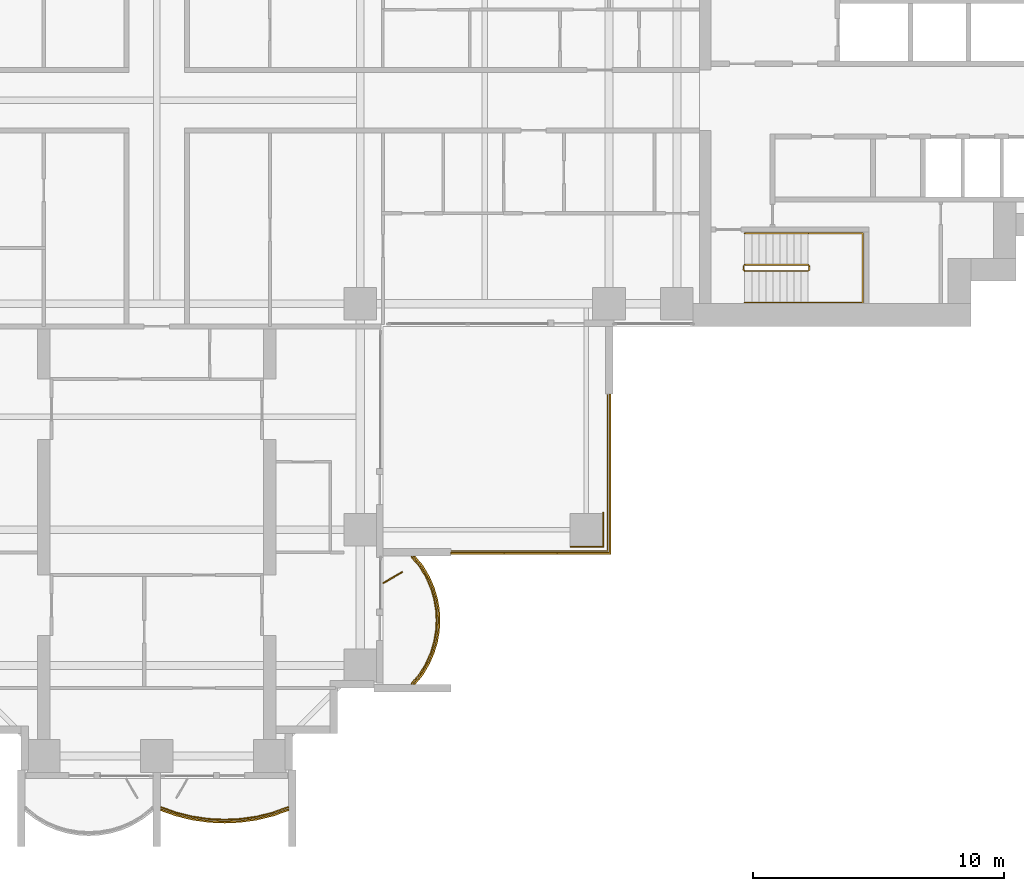
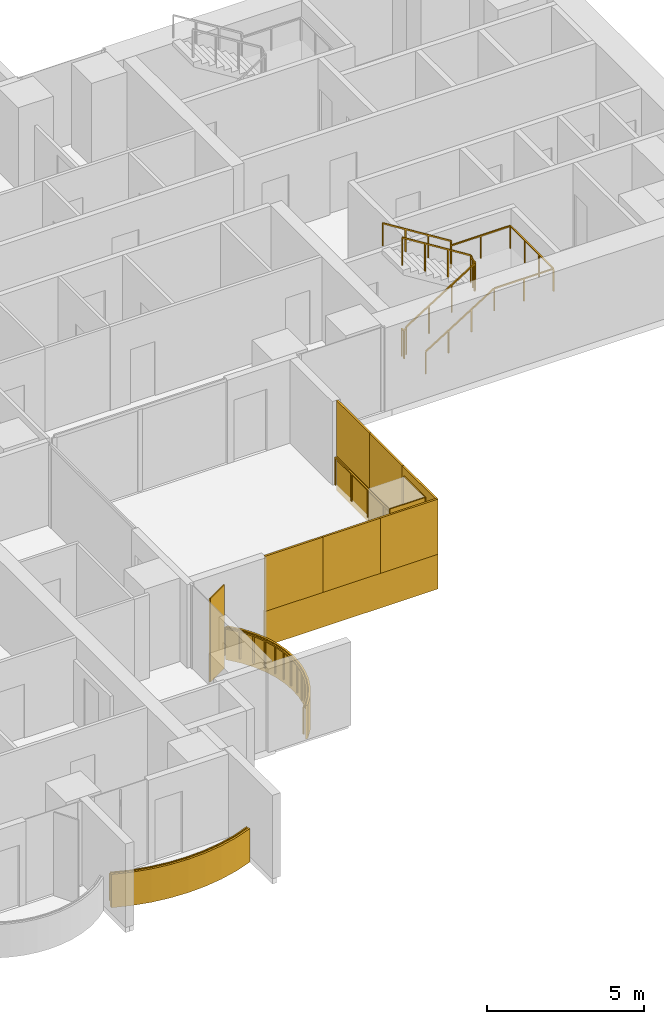
# One storey, part 18 of 20: 11 coverings, 5 railings, 1 shading device.
"""IFC4 building model written with IfcOpenShell, lengths in metres."""

from ifc_helpers import new_model, si_unit, direction, frame, origin, origin_2d, place, context, subcontext, project, spatial, polyline, rectangle, outline, extrude, material, layer, layer_set, type_object, element, save


model = new_model("IFC4")

# Units and contexts
model_context = context("Model", 3, precision=1e-05, world=origin(), true_north=direction((0.0, 1.0)))
body_context = subcontext(model_context, "Body", "Model", "MODEL_VIEW")
ifc_project = project(units=[si_unit("LENGTHUNIT", "METRE"), si_unit("AREAUNIT", "SQUARE_METRE"), si_unit("VOLUMEUNIT", "CUBIC_METRE"), si_unit("PLANEANGLEUNIT", "RADIAN"), si_unit("MASSUNIT", "GRAM", prefix="KILO")], contexts=[model_context])

# Site, building, storey
site_placement = place(None, origin())
site = spatial("IfcSite", under=ifc_project, at=site_placement, CompositionType="ELEMENT")
building_placement = place(site_placement, origin())
building = spatial("IfcBuilding", under=site, at=building_placement, Name="Perihelion Cross Residences", CompositionType="ELEMENT")
storey_placement = place(building_placement, frame((0.0, 0.0, 68.0)))
storey = spatial("IfcBuildingStorey", under=building, at=storey_placement, Name="L14", CompositionType="ELEMENT", Elevation=68.0)

# Coverings
ifc_material_1 = material(Name="Bronze anodised aluminium", Category="aluminium")
ifc_layer_1 = layer(ifc_material_1, 0.070068359375)
ifc_layer_set_1 = layer_set([ifc_layer_1], Name="Balcony fascia 1300")
covering_type_1 = type_object("IfcCoveringType", Name="Balcony fascia 1300", PredefinedType="CLADDING", material=ifc_layer_set_1)
covering_1_placement = place(storey_placement, frame((0.0, 0.0, -0.199951171875)))
element("IfcCovering", 1, at=covering_1_placement, inside=storey, type_object=covering_type_1, Name="Fascia BF1 L14 south tip south bay 2", PredefinedType="CLADDING", context=body_context, shape_type="SweptSolid", body=[
    extrude(outline(polyline([(0.767578125, -28.49072265625), (1.411865234375, -28.647216796875), (2.055908203125, -28.739501953125), (2.699951171875, -28.77001953125), (3.34423828125, -28.739501953125), (3.98828125, -28.647216796875), (4.63232421875, -28.49072265625), (5.25, -28.274169921875), (5.25, -28.199951171875), (4.612548828125, -28.423583984375), (3.97509765625, -28.57861328125), (3.33740234375, -28.669921875), (2.699951171875, -28.699951171875), (2.0625, -28.669921875), (1.425048828125, -28.57861328125), (0.78759765625, -28.423583984375), (0.14990234375, -28.199951171875), (0.14990234375, -28.274169921875), (0.767578125, -28.49072265625)])), origin(), (0.0, 0.0, 1.0), 1.300048828125),
])
covering_2_placement = place(storey_placement, frame((0.0, 0.0, -0.199951171875)))
element("IfcCovering", 2, at=covering_2_placement, inside=storey, type_object=covering_type_1, Name="Fascia BF1 L14 south side east bay 1", PredefinedType="CLADDING", context=body_context, shape_type="SweptSolid", body=[
    extrude(outline(polyline([(10.59765625, -22.86474609375), (10.85498046875, -22.431884765625), (11.04248046875, -21.998779296875), (11.170654296875, -21.56591796875), (11.245361328125, -21.133056640625), (11.27001953125, -20.699951171875), (11.245361328125, -20.26708984375), (11.170654296875, -19.833984375), (11.04248046875, -19.401123046875), (10.85498046875, -18.96826171875), (10.59765625, -18.53515625), (10.28955078125, -18.14990234375), (10.199951171875, -18.14990234375), (10.5400390625, -18.574951171875), (10.792724609375, -19.0), (10.9765625, -19.425048828125), (11.1025390625, -19.85009765625), (11.17578125, -20.27490234375), (11.199951171875, -20.699951171875), (11.17578125, -21.125), (11.1025390625, -21.550048828125), (10.9765625, -21.97509765625), (10.792724609375, -22.39990234375), (10.5400390625, -22.824951171875), (10.199951171875, -23.25), (10.28955078125, -23.25), (10.59765625, -22.86474609375)])), origin(), (0.0, 0.0, 1.0), 1.300048828125),
])

# Railings
ifc_material_2 = material(Name="Bronze anodised aluminium", Category="aluminium")
railing_type_1 = type_object("IfcRailingType", Name="Balcony guard 1100", PredefinedType="GUARDRAIL", material=ifc_material_2)
railing_1_placement = place(storey_placement, frame((0.175048828125, -28.139892578125, 0.0)))
element("IfcRailing", 3, at=railing_1_placement, inside=storey, type_object=railing_type_1, Name="Guard GU1 L14 south tip south bay 2 balcony", PredefinedType="GUARDRAIL", context=body_context, shape_type="SweptSolid", body=[
    extrude(rectangle(XDim=0.048095703125, YDim=0.048095703125, at=origin_2d()), frame((0.0, 0.0, 1.076171875), z_axis=(0.939355405384, -0.342945217749, 0.0), x_axis=(0.342945217749, 0.939355405384, 0.0)), (0.0, 0.0, 1.0), 0.652099609375),
    extrude(rectangle(XDim=0.048095703125, YDim=0.048095703125, at=origin_2d()), frame((0.612548828125, -0.2236328125, 1.076171875), z_axis=(0.971676841941, -0.236313594268, 0.0), x_axis=(0.236313594268, 0.971676841941, 0.0)), (0.0, 0.0, 1.0), 0.656005859375),
    extrude(rectangle(XDim=0.048095703125, YDim=0.048095703125, at=origin_2d()), frame((1.25, -0.378662109375, 1.076171875), z_axis=(0.989896346386, -0.141792889142, 0.0), x_axis=(0.141792889142, 0.989896346386, 0.0)), (0.0, 0.0, 1.0), 0.64404296875),
    extrude(rectangle(XDim=0.048095703125, YDim=0.048095703125, at=origin_2d()), frame((1.887451171875, -0.469970703125, 1.076171875), z_axis=(0.998892243319, -0.04705620296, 0.0), x_axis=(0.04705620296, 0.998892243319, 0.0)), (0.0, 0.0, 1.0), 0.63818359375),
    extrude(rectangle(XDim=0.048095703125, YDim=0.048095703125, at=origin_2d()), frame((2.52490234375, -0.5, 1.076171875), z_axis=(0.998892243319, 0.04705620296, 0.0), x_axis=(-0.04705620296, 0.998892243319, 0.0)), (0.0, 0.0, 1.0), 0.63818359375),
    extrude(rectangle(XDim=0.048095703125, YDim=0.048095703125, at=origin_2d()), frame((3.162353515625, -0.469970703125, 1.076171875), z_axis=(0.989903964498, 0.141739694763, 0.0), x_axis=(-0.141739694763, 0.989903964498, 0.0)), (0.0, 0.0, 1.0), 0.644287109375),
    extrude(rectangle(XDim=0.048095703125, YDim=0.048095703125, at=origin_2d()), frame((3.800048828125, -0.378662109375, 1.076171875), z_axis=(0.971676841941, 0.236313594268, 0.0), x_axis=(-0.236313594268, 0.971676841941, 0.0)), (0.0, 0.0, 1.0), 0.656005859375),
    extrude(rectangle(XDim=0.048095703125, YDim=0.048095703125, at=origin_2d()), frame((4.4375, -0.2236328125, 1.076171875), z_axis=(0.939355405384, 0.342945217749, 0.0), x_axis=(-0.342945217749, 0.939355405384, 0.0)), (0.0, 0.0, 1.0), 0.652099609375),
    extrude(rectangle(XDim=0.0419921875, YDim=0.0419921875, at=origin_2d()), origin(), (0.0, 0.0, 1.0), 1.052001953125),
    extrude(rectangle(XDim=0.0419921875, YDim=0.0419921875, at=origin_2d()), frame((0.612548828125, -0.2236328125, 0.0)), (0.0, 0.0, 1.0), 1.052001953125),
    extrude(rectangle(XDim=0.0419921875, YDim=0.0419921875, at=origin_2d()), frame((1.25, -0.378662109375, 0.0)), (0.0, 0.0, 1.0), 1.052001953125),
    extrude(rectangle(XDim=0.0419921875, YDim=0.0419921875, at=origin_2d()), frame((1.887451171875, -0.469970703125, 0.0)), (0.0, 0.0, 1.0), 1.052001953125),
    extrude(rectangle(XDim=0.0419921875, YDim=0.0419921875, at=origin_2d()), frame((2.52490234375, -0.5, 0.0)), (0.0, 0.0, 1.0), 1.052001953125),
    extrude(rectangle(XDim=0.0419921875, YDim=0.0419921875, at=origin_2d()), frame((3.162353515625, -0.469970703125, 0.0)), (0.0, 0.0, 1.0), 1.052001953125),
    extrude(rectangle(XDim=0.0419921875, YDim=0.0419921875, at=origin_2d()), frame((3.800048828125, -0.378662109375, 0.0)), (0.0, 0.0, 1.0), 1.052001953125),
    extrude(rectangle(XDim=0.0419921875, YDim=0.0419921875, at=origin_2d()), frame((4.4375, -0.2236328125, 0.0)), (0.0, 0.0, 1.0), 1.052001953125),
    extrude(rectangle(XDim=0.0419921875, YDim=0.0419921875, at=origin_2d()), frame((5.050048828125, 0.0, 0.0)), (0.0, 0.0, 1.0), 1.052001953125),
])
railing_2_placement = place(storey_placement, frame((10.139892578125, -23.22509765625, 0.0)))
element("IfcRailing", 4, at=railing_2_placement, inside=storey, type_object=railing_type_1, Name="Guard GU1 L14 south side east bay 1 balcony", PredefinedType="GUARDRAIL", context=body_context, shape_type="SweptSolid", body=[
    extrude(rectangle(XDim=0.048095703125, YDim=0.048095703125, at=origin_2d()), frame((0.0, 0.0, 1.076171875), z_axis=(0.647607934281, 0.761973728849, 0.0), x_axis=(-0.761973728849, 0.647607934281, 0.0)), (0.0, 0.0, 1.0), 0.525146484375),
    extrude(rectangle(XDim=0.048095703125, YDim=0.048095703125, at=origin_2d()), frame((0.340087890625, 0.400146484375, 1.076171875), z_axis=(0.511006381501, 0.859576918062, 0.0), x_axis=(-0.859576918062, 0.511006381501, 0.0)), (0.0, 0.0, 1.0), 0.494384765625),
    extrude(rectangle(XDim=0.048095703125, YDim=0.048095703125, at=origin_2d()), frame((0.5927734375, 0.8251953125, 1.076171875), z_axis=(0.397607437634, 0.91755562531, 0.0), x_axis=(-0.91755562531, 0.397607437634, 0.0)), (0.0, 0.0, 1.0), 0.462890625),
    extrude(rectangle(XDim=0.048095703125, YDim=0.048095703125, at=origin_2d()), frame((0.77685546875, 1.25, 1.076171875), z_axis=(0.283656975924, 0.958925815697, 0.0), x_axis=(-0.958925815697, 0.283656975924, 0.0)), (0.0, 0.0, 1.0), 0.443359375),
    extrude(rectangle(XDim=0.048095703125, YDim=0.048095703125, at=origin_2d()), frame((0.902587890625, 1.675048828125, 1.076171875), z_axis=(0.17036177859, 0.985381583142, 0.0), x_axis=(-0.985381583142, 0.17036177859, 0.0)), (0.0, 0.0, 1.0), 0.431396484375),
    extrude(rectangle(XDim=0.048095703125, YDim=0.048095703125, at=origin_2d()), frame((0.97607421875, 2.10009765625, 1.076171875), z_axis=(0.056200523353, 0.9984195016, 0.0), x_axis=(-0.9984195016, 0.056200523353, 0.0)), (0.0, 0.0, 1.0), 0.42578125),
    extrude(rectangle(XDim=0.048095703125, YDim=0.048095703125, at=origin_2d()), frame((1.0, 2.525146484375, 1.076171875), z_axis=(-0.056200523353, 0.9984195016, 0.0), x_axis=(-0.9984195016, -0.056200523353, 0.0)), (0.0, 0.0, 1.0), 0.42578125),
    extrude(rectangle(XDim=0.048095703125, YDim=0.048095703125, at=origin_2d()), frame((0.97607421875, 2.9501953125, 1.076171875), z_axis=(-0.170456843651, 0.985365142702, 0.0), x_axis=(-0.985365142702, -0.170456843651, 0.0)), (0.0, 0.0, 1.0), 0.43115234375),
    extrude(rectangle(XDim=0.048095703125, YDim=0.048095703125, at=origin_2d()), frame((0.902587890625, 3.375, 1.076171875), z_axis=(-0.283656975924, 0.958925815697, 0.0), x_axis=(-0.958925815697, -0.283656975924, 0.0)), (0.0, 0.0, 1.0), 0.443359375),
    extrude(rectangle(XDim=0.048095703125, YDim=0.048095703125, at=origin_2d()), frame((0.77685546875, 3.800048828125, 1.076171875), z_axis=(-0.397415137459, 0.917638931453, 0.0), x_axis=(-0.917638931453, -0.397415137459, 0.0)), (0.0, 0.0, 1.0), 0.463134765625),
    extrude(rectangle(XDim=0.048095703125, YDim=0.048095703125, at=origin_2d()), frame((0.5927734375, 4.22509765625, 1.076171875), z_axis=(-0.511006381501, 0.859576918062, 0.0), x_axis=(-0.859576918062, -0.511006381501, 0.0)), (0.0, 0.0, 1.0), 0.494384765625),
    extrude(rectangle(XDim=0.048095703125, YDim=0.048095703125, at=origin_2d()), frame((0.340087890625, 4.650146484375, 1.076171875), z_axis=(-0.647837396648, 0.761778647315, 0.0), x_axis=(-0.761778647315, -0.647837396648, 0.0)), (0.0, 0.0, 1.0), 0.52490234375),
    extrude(rectangle(XDim=0.0419921875, YDim=0.0419921875, at=origin_2d()), origin(), (0.0, 0.0, 1.0), 1.052001953125),
    extrude(rectangle(XDim=0.0419921875, YDim=0.0419921875, at=origin_2d()), frame((0.340087890625, 0.400146484375, 0.0)), (0.0, 0.0, 1.0), 1.052001953125),
    extrude(rectangle(XDim=0.0419921875, YDim=0.0419921875, at=origin_2d()), frame((0.5927734375, 0.8251953125, 0.0)), (0.0, 0.0, 1.0), 1.052001953125),
    extrude(rectangle(XDim=0.0419921875, YDim=0.0419921875, at=origin_2d()), frame((0.77685546875, 1.25, 0.0)), (0.0, 0.0, 1.0), 1.052001953125),
    extrude(rectangle(XDim=0.0419921875, YDim=0.0419921875, at=origin_2d()), frame((0.902587890625, 1.675048828125, 0.0)), (0.0, 0.0, 1.0), 1.052001953125),
    extrude(rectangle(XDim=0.0419921875, YDim=0.0419921875, at=origin_2d()), frame((0.97607421875, 2.10009765625, 0.0)), (0.0, 0.0, 1.0), 1.052001953125),
    extrude(rectangle(XDim=0.0419921875, YDim=0.0419921875, at=origin_2d()), frame((1.0, 2.525146484375, 0.0)), (0.0, 0.0, 1.0), 1.052001953125),
    extrude(rectangle(XDim=0.0419921875, YDim=0.0419921875, at=origin_2d()), frame((0.97607421875, 2.9501953125, 0.0)), (0.0, 0.0, 1.0), 1.052001953125),
    extrude(rectangle(XDim=0.0419921875, YDim=0.0419921875, at=origin_2d()), frame((0.902587890625, 3.375, 0.0)), (0.0, 0.0, 1.0), 1.052001953125),
    extrude(rectangle(XDim=0.0419921875, YDim=0.0419921875, at=origin_2d()), frame((0.77685546875, 3.800048828125, 0.0)), (0.0, 0.0, 1.0), 1.052001953125),
    extrude(rectangle(XDim=0.0419921875, YDim=0.0419921875, at=origin_2d()), frame((0.5927734375, 4.22509765625, 0.0)), (0.0, 0.0, 1.0), 1.052001953125),
    extrude(rectangle(XDim=0.0419921875, YDim=0.0419921875, at=origin_2d()), frame((0.340087890625, 4.650146484375, 0.0)), (0.0, 0.0, 1.0), 1.052001953125),
    extrude(rectangle(XDim=0.0419921875, YDim=0.0419921875, at=origin_2d()), frame((0.0, 5.050048828125, 0.0)), (0.0, 0.0, 1.0), 1.052001953125),
])
railing_3_placement = place(storey_placement, frame((17.93994140625, -11.739990234375, 0.0)))
element("IfcRailing", 5, at=railing_3_placement, inside=storey, type_object=railing_type_1, Name="Guard GU1 L14 pocket south-east 1", PredefinedType="GUARDRAIL", context=body_context, shape_type="SweptSolid", body=[
    extrude(rectangle(XDim=0.048095703125, YDim=0.048095703125, at=origin_2d()), frame((0.0, 0.0, 1.076171875), z_axis=(0.0, -1.0, 0.0), x_axis=(1.0, 0.0, 0.0)), (0.0, 0.0, 1.0), 6.199951171875),
    extrude(rectangle(XDim=0.048095703125, YDim=0.048095703125, at=origin_2d()), frame((0.0, -6.199951171875, 1.076171875), z_axis=(-1.0, 0.0, 0.0), x_axis=(0.0, -1.0, 0.0)), (0.0, 0.0, 1.0), 6.199951171875),
    extrude(rectangle(XDim=0.0419921875, YDim=0.0419921875, at=origin_2d()), origin(), (0.0, 0.0, 1.0), 1.052001953125),
    extrude(rectangle(XDim=0.0419921875, YDim=0.0419921875, at=origin_2d()), frame((0.0, -1.033203125, 0.0)), (0.0, 0.0, 1.0), 1.052001953125),
    extrude(rectangle(XDim=0.0419921875, YDim=0.0419921875, at=origin_2d()), frame((0.0, -2.066650390625, 0.0)), (0.0, 0.0, 1.0), 1.052001953125),
    extrude(rectangle(XDim=0.0419921875, YDim=0.0419921875, at=origin_2d()), frame((0.0, -3.10009765625, 0.0)), (0.0, 0.0, 1.0), 1.052001953125),
    extrude(rectangle(XDim=0.0419921875, YDim=0.0419921875, at=origin_2d()), frame((0.0, -4.13330078125, 0.0)), (0.0, 0.0, 1.0), 1.052001953125),
    extrude(rectangle(XDim=0.0419921875, YDim=0.0419921875, at=origin_2d()), frame((0.0, -5.16650390625, 0.0)), (0.0, 0.0, 1.0), 1.052001953125),
    extrude(rectangle(XDim=0.0419921875, YDim=0.0419921875, at=origin_2d()), frame((0.0, -6.199951171875, 0.0)), (0.0, 0.0, 1.0), 1.052001953125),
    extrude(rectangle(XDim=0.0419921875, YDim=0.0419921875, at=origin_2d()), frame((-1.033203125, -6.199951171875, 0.0)), (0.0, 0.0, 1.0), 1.052001953125),
    extrude(rectangle(XDim=0.0419921875, YDim=0.0419921875, at=origin_2d()), frame((-2.066650390625, -6.199951171875, 0.0)), (0.0, 0.0, 1.0), 1.052001953125),
    extrude(rectangle(XDim=0.0419921875, YDim=0.0419921875, at=origin_2d()), frame((-3.10009765625, -6.199951171875, 0.0)), (0.0, 0.0, 1.0), 1.052001953125),
    extrude(rectangle(XDim=0.0419921875, YDim=0.0419921875, at=origin_2d()), frame((-4.13330078125, -6.199951171875, 0.0)), (0.0, 0.0, 1.0), 1.052001953125),
    extrude(rectangle(XDim=0.0419921875, YDim=0.0419921875, at=origin_2d()), frame((-5.16650390625, -6.199951171875, 0.0)), (0.0, 0.0, 1.0), 1.052001953125),
    extrude(rectangle(XDim=0.0419921875, YDim=0.0419921875, at=origin_2d()), frame((-6.199951171875, -6.199951171875, 0.0)), (0.0, 0.0, 1.0), 1.052001953125),
])

# Coverings
ifc_material_3 = material(Name="Bronze anodised aluminium", Category="aluminium")
ifc_layer_2 = layer(ifc_material_3, 0.0400390625)
ifc_layer_set_2 = layer_set([ifc_layer_2], Name="Bronze column casing 40")
covering_type_2 = type_object("IfcCoveringType", Name="Bronze column casing 40", PredefinedType="CLADDING", material=ifc_layer_set_2)
covering_3_placement = place(storey_placement, frame((17.77001953125, -17.10009765625, -0.25), z_axis=(0.0, 0.0, 1.0), x_axis=(1.0, 0.0, 0.0)))
element("IfcCovering", 6, at=covering_3_placement, inside=storey, type_object=covering_type_2, Name="Cladding CC1 L14 casing east-west no. 3", PredefinedType="CLADDING", context=body_context, shape_type="SweptSolid", body=[
    extrude(rectangle(XDim=0.0400390625, YDim=1.3798828125, at=origin_2d()), origin(), (0.0, 0.0, 1.0), 3.5),
])
covering_4_placement = place(storey_placement, frame((17.10009765625, -17.77001953125, -0.25), z_axis=(0.0, 0.0, 1.0), x_axis=(1.0, 0.0, 0.0)))
element("IfcCovering", 7, at=covering_4_placement, inside=storey, type_object=covering_type_2, Name="Cladding CC1 L14 casing north-south no. 3", PredefinedType="CLADDING", context=body_context, shape_type="SweptSolid", body=[
    extrude(rectangle(XDim=1.300048828125, YDim=0.0400390625, at=origin_2d()), origin(), (0.0, 0.0, 1.0), 3.5),
])

# Shading device
ifc_material_4 = material(Name="Bronze anodised aluminium", Category="aluminium")
ifc_layer_3 = layer(ifc_material_4, 0.050048828125)
ifc_layer_set_3 = layer_set([ifc_layer_3], Name="Bronze fin 900")
shading_device_type = type_object("IfcShadingDeviceType", Name="Bronze fin 900", PredefinedType="USERDEFINED", material=ifc_layer_set_3)
shading_device_placement = place(storey_placement, frame((9.3896484375, -19.0, 0.0), z_axis=(0.0, 0.0, 1.0), x_axis=(0.866025403784, 0.5, 0.0)))
element("IfcShadingDevice", 8, at=shading_device_placement, inside=storey, type_object=shading_device_type, Name="Fin FN1 L14 south side east bay 1", ObjectType="FIN", PredefinedType="USERDEFINED", context=body_context, shape_type="SweptSolid", body=[
    extrude(rectangle(XDim=0.89990234375, YDim=0.050048828125, at=origin_2d()), origin(), (0.0, 0.0, 1.0), 3.25),
])

# Coverings
ifc_material_5 = material(Name="Bronze anodised aluminium", Category="aluminium")
ifc_layer_4 = layer(ifc_material_5, 0.070068359375)
ifc_layer_set_4 = layer_set([ifc_layer_4], Name="Pocket fascia 1350")
covering_type_3 = type_object("IfcCoveringType", Name="Pocket fascia 1350", PredefinedType="CLADDING", material=ifc_layer_set_4)
covering_5_placement = place(storey_placement, frame((0.0, 0.0, -0.25)))
element("IfcCovering", 9, at=covering_5_placement, inside=storey, type_object=covering_type_3, Name="Fascia BF2 L14 pocket south-east 3", PredefinedType="CLADDING", context=body_context, shape_type="SweptSolid", body=[
    extrude(outline(polyline([(18.070068359375, -18.070068359375), (18.070068359375, -11.699951171875), (18.0, -11.699951171875), (18.0, -18.0), (11.699951171875, -18.0), (11.699951171875, -18.070068359375), (18.070068359375, -18.070068359375)])), origin(), (0.0, 0.0, 1.0), 1.35009765625),
])
ifc_material_6 = material(Name="Bronze perforated aluminium", Category="aluminium")
ifc_layer_5 = layer(ifc_material_6, 0.070068359375)
ifc_layer_set_5 = layer_set([ifc_layer_5], Name="Pocket solar screen, bronze perforated")
covering_type_4 = type_object("IfcCoveringType", Name="Pocket solar screen, bronze perforated", PredefinedType="CLADDING", material=ifc_layer_set_5)
covering_6_placement = place(storey_placement, frame((0.0, 0.0, 1.10009765625)))
element("IfcCovering", 10, at=covering_6_placement, inside=storey, type_object=covering_type_4, Name="Solar screen PS1 L14 pocket south-east no. 1", PredefinedType="CLADDING", context=body_context, shape_type="SweptSolid", body=[
    extrude(outline(polyline([(18.070068359375, -18.0), (18.070068359375, -15.89990234375), (18.0, -15.89990234375), (18.0, -18.0), (18.070068359375, -18.0)])), origin(), (0.0, 0.0, 1.0), 2.14990234375),
])
covering_7_placement = place(storey_placement, frame((0.0, 0.0, 1.10009765625)))
element("IfcCovering", 11, at=covering_7_placement, inside=storey, type_object=covering_type_4, Name="Solar screen PS1 L14 pocket south-east no. 2", PredefinedType="CLADDING", context=body_context, shape_type="SweptSolid", body=[
    extrude(outline(polyline([(18.070068359375, -15.89990234375), (18.070068359375, -13.800048828125), (18.0, -13.800048828125), (18.0, -15.89990234375), (18.070068359375, -15.89990234375)])), origin(), (0.0, 0.0, 1.0), 2.14990234375),
])
covering_8_placement = place(storey_placement, frame((0.0, 0.0, 1.10009765625)))
element("IfcCovering", 12, at=covering_8_placement, inside=storey, type_object=covering_type_4, Name="Solar screen PS1 L14 pocket south-east no. 3", PredefinedType="CLADDING", context=body_context, shape_type="SweptSolid", body=[
    extrude(outline(polyline([(18.070068359375, -13.800048828125), (18.070068359375, -11.699951171875), (18.0, -11.699951171875), (18.0, -13.800048828125), (18.070068359375, -13.800048828125)])), origin(), (0.0, 0.0, 1.0), 2.14990234375),
])
covering_9_placement = place(storey_placement, frame((0.0, 0.0, 1.10009765625)))
element("IfcCovering", 13, at=covering_9_placement, inside=storey, type_object=covering_type_4, Name="Solar screen PS1 L14 pocket south-east no. 4", PredefinedType="CLADDING", context=body_context, shape_type="SweptSolid", body=[
    extrude(outline(polyline([(13.8232421875, -18.070068359375), (13.8232421875, -18.0), (11.699951171875, -18.0), (11.699951171875, -18.070068359375), (13.8232421875, -18.070068359375)])), origin(), (0.0, 0.0, 1.0), 2.14990234375),
])
covering_10_placement = place(storey_placement, frame((0.0, 0.0, 1.10009765625)))
element("IfcCovering", 14, at=covering_10_placement, inside=storey, type_object=covering_type_4, Name="Solar screen PS1 L14 pocket south-east no. 5", PredefinedType="CLADDING", context=body_context, shape_type="SweptSolid", body=[
    extrude(outline(polyline([(15.94677734375, -18.070068359375), (15.94677734375, -18.0), (13.8232421875, -18.0), (13.8232421875, -18.070068359375), (15.94677734375, -18.070068359375)])), origin(), (0.0, 0.0, 1.0), 2.14990234375),
])
covering_11_placement = place(storey_placement, frame((0.0, 0.0, 1.10009765625)))
element("IfcCovering", 15, at=covering_11_placement, inside=storey, type_object=covering_type_4, Name="Solar screen PS1 L14 pocket south-east no. 6", PredefinedType="CLADDING", context=body_context, shape_type="SweptSolid", body=[
    extrude(outline(polyline([(18.070068359375, -18.070068359375), (18.070068359375, -18.0), (15.94677734375, -18.0), (15.94677734375, -18.070068359375), (18.070068359375, -18.070068359375)])), origin(), (0.0, 0.0, 1.0), 2.14990234375),
])

# Railings
ifc_material_7 = material(Name="Stainless steel", Category="steel")
railing_type_2 = type_object("IfcRailingType", Name="Stair guard 1100", PredefinedType="GUARDRAIL", material=ifc_material_7)
railing_4_placement = place(storey_placement, frame((23.35009765625, -6.60009765625, 0.0)))
element("IfcRailing", 16, at=railing_4_placement, inside=storey, type_object=railing_type_2, Name="L14 ST-E2 stair guard 1", PredefinedType="GUARDRAIL", context=body_context, shape_type="SweptSolid", body=[
    extrude(rectangle(XDim=0.048095703125, YDim=0.048095703125, at=origin_2d()), frame((0.0, 0.0, 1.076171875), z_axis=(0.0, -1.0, 0.0), x_axis=(1.0, 0.0, 0.0)), (0.0, 0.0, 1.0), 0.14990234375),
    extrude(rectangle(XDim=0.048095703125, YDim=0.048095703125, at=origin_2d()), frame((0.0, -0.14990234375, 1.076171875), z_axis=(0.263862480399, -0.265155923931, 0.927399011991), x_axis=(0.708833529934, 0.705375805398, 0.0)), (0.0, 0.0, 1.0), 0.188720703125),
    extrude(rectangle(XDim=0.048095703125, YDim=0.048095703125, at=origin_2d()), frame((0.0498046875, -0.199951171875, 1.2509765625), z_axis=(0.848007534815, 0.0, 0.529984170421), x_axis=(0.0, 1.0, 0.0)), (0.0, 0.0, 1.0), 2.9716796875),
    extrude(rectangle(XDim=0.048095703125, YDim=0.048095703125, at=origin_2d()), frame((2.56982421875, -0.199951171875, 2.826171875), z_axis=(0.707106781187, 0.707106781187, 0.0), x_axis=(-0.707106781187, 0.707106781187, 0.0)), (0.0, 0.0, 1.0), 0.07080078125),
    extrude(rectangle(XDim=0.048095703125, YDim=0.048095703125, at=origin_2d()), frame((2.619873046875, -0.14990234375, 2.826171875), z_axis=(0.0, 1.0, 0.0), x_axis=(-1.0, 0.0, 0.0)), (0.0, 0.0, 1.0), 0.14990234375),
    extrude(rectangle(XDim=0.048095703125, YDim=0.048095703125, at=origin_2d()), frame((2.619873046875, 0.0, 2.826171875), z_axis=(-0.265065253269, 0.265065253269, 0.927081885822), x_axis=(-0.707106781187, -0.707106781187, 0.0)), (0.0, 0.0, 1.0), 0.188720703125),
    extrude(rectangle(XDim=0.048095703125, YDim=0.048095703125, at=origin_2d()), frame((2.56982421875, 0.050048828125, 3.0009765625), z_axis=(-0.848007534815, 0.0, 0.529984170421), x_axis=(0.0, -1.0, 0.0)), (0.0, 0.0, 1.0), 2.9716796875),
    extrude(rectangle(XDim=0.0419921875, YDim=0.0419921875, at=origin_2d()), origin(), (0.0, 0.0, 1.0), 1.052001953125),
    extrude(rectangle(XDim=0.0419921875, YDim=0.0419921875, at=origin_2d()), frame((0.0, -0.14990234375, 0.0)), (0.0, 0.0, 1.0), 1.052001953125),
    extrude(rectangle(XDim=0.0419921875, YDim=0.0419921875, at=origin_2d()), frame((0.0498046875, -0.199951171875, 0.175048828125)), (0.0, 0.0, 1.0), 1.052001953125),
    extrude(rectangle(XDim=0.0419921875, YDim=0.0419921875, at=origin_2d()), frame((0.889892578125, -0.199951171875, 0.699951171875)), (0.0, 0.0, 1.0), 1.052001953125),
    extrude(rectangle(XDim=0.0419921875, YDim=0.0419921875, at=origin_2d()), frame((1.729736328125, -0.199951171875, 1.22509765625)), (0.0, 0.0, 1.0), 1.052001953125),
    extrude(rectangle(XDim=0.0419921875, YDim=0.0419921875, at=origin_2d()), frame((2.56982421875, -0.199951171875, 1.75)), (0.0, 0.0, 1.0), 1.052001953125),
    extrude(rectangle(XDim=0.0419921875, YDim=0.0419921875, at=origin_2d()), frame((2.619873046875, -0.14990234375, 1.75)), (0.0, 0.0, 1.0), 1.052001953125),
    extrude(rectangle(XDim=0.0419921875, YDim=0.0419921875, at=origin_2d()), frame((2.619873046875, 0.0, 1.75)), (0.0, 0.0, 1.0), 1.052001953125),
    extrude(rectangle(XDim=0.0419921875, YDim=0.0419921875, at=origin_2d()), frame((2.56982421875, 0.050048828125, 1.925048828125)), (0.0, 0.0, 1.0), 1.052001953125),
    extrude(rectangle(XDim=0.0419921875, YDim=0.0419921875, at=origin_2d()), frame((1.729736328125, 0.050048828125, 2.449951171875)), (0.0, 0.0, 1.0), 1.052001953125),
    extrude(rectangle(XDim=0.0419921875, YDim=0.0419921875, at=origin_2d()), frame((0.889892578125, 0.050048828125, 2.97509765625)), (0.0, 0.0, 1.0), 1.052001953125),
    extrude(rectangle(XDim=0.0419921875, YDim=0.0419921875, at=origin_2d()), frame((0.0498046875, 0.050048828125, 3.5)), (0.0, 0.0, 1.0), 1.052001953125),
])
ifc_material_8 = material(Name="Stainless steel", Category="steel")
railing_type_3 = type_object("IfcRailingType", Name="Stair handrail 900", PredefinedType="HANDRAIL", material=ifc_material_8)
railing_5_placement = place(storey_placement, frame((23.39990234375, -8.050048828125, 0.175048828125)))
element("IfcRailing", 17, at=railing_5_placement, inside=storey, type_object=railing_type_3, Name="L14 ST-E2 stair handrail 1", PredefinedType="HANDRAIL", context=body_context, shape_type="SweptSolid", body=[
    extrude(rectangle(XDim=0.048095703125, YDim=0.048095703125, at=origin_2d()), frame((0.0, 0.0, 0.8759765625), z_axis=(0.848007534815, 0.0, 0.529984170421), x_axis=(0.0, 1.0, 0.0)), (0.0, 0.0, 1.0), 2.9716796875),
    extrude(rectangle(XDim=0.048095703125, YDim=0.048095703125, at=origin_2d()), frame((2.52001953125, 0.0, 2.45068359375), z_axis=(1.0, 0.0, 0.0), x_axis=(0.0, 1.0, 0.0)), (0.0, 0.0, 1.0), 2.18017578125),
    extrude(rectangle(XDim=0.048095703125, YDim=0.048095703125, at=origin_2d()), frame((4.7001953125, 0.0, 2.45068359375), z_axis=(0.0, 1.0, 0.0), x_axis=(-1.0, 0.0, 0.0)), (0.0, 0.0, 1.0), 2.75),
    extrude(rectangle(XDim=0.048095703125, YDim=0.048095703125, at=origin_2d()), frame((4.7001953125, 2.75, 2.45068359375), z_axis=(-1.0, 0.0, 0.0), x_axis=(0.0, -1.0, 0.0)), (0.0, 0.0, 1.0), 2.18017578125),
    extrude(rectangle(XDim=0.048095703125, YDim=0.048095703125, at=origin_2d()), frame((2.52001953125, 2.75, 2.45068359375), z_axis=(0.0, 0.0, 1.0), x_axis=(1.0, 0.0, 0.0)), (0.0, 0.0, 1.0), 0.175048828125),
    extrude(rectangle(XDim=0.048095703125, YDim=0.048095703125, at=origin_2d()), frame((2.52001953125, 2.75, 2.6259765625), z_axis=(-0.848007534815, 0.0, 0.529984170421), x_axis=(0.0, -1.0, 0.0)), (0.0, 0.0, 1.0), 2.9716796875),
    extrude(rectangle(XDim=0.0419921875, YDim=0.0419921875, at=origin_2d()), origin(), (0.0, 0.0, 1.0), 0.851806640625),
    extrude(rectangle(XDim=0.0419921875, YDim=0.0419921875, at=origin_2d()), frame((0.840087890625, 0.0, 0.52490234375)), (0.0, 0.0, 1.0), 0.851806640625),
    extrude(rectangle(XDim=0.0419921875, YDim=0.0419921875, at=origin_2d()), frame((1.679931640625, 0.0, 1.050048828125)), (0.0, 0.0, 1.0), 0.851806640625),
    extrude(rectangle(XDim=0.0419921875, YDim=0.0419921875, at=origin_2d()), frame((2.52001953125, 0.0, 1.574951171875)), (0.0, 0.0, 1.0), 0.851806640625),
    extrude(rectangle(XDim=0.0419921875, YDim=0.0419921875, at=origin_2d()), frame((3.610107421875, 0.0, 1.574951171875)), (0.0, 0.0, 1.0), 0.851806640625),
    extrude(rectangle(XDim=0.0419921875, YDim=0.0419921875, at=origin_2d()), frame((4.7001953125, 0.0, 1.574951171875)), (0.0, 0.0, 1.0), 0.851806640625),
    extrude(rectangle(XDim=0.0419921875, YDim=0.0419921875, at=origin_2d()), frame((4.7001953125, 0.916748046875, 1.574951171875)), (0.0, 0.0, 1.0), 0.851806640625),
    extrude(rectangle(XDim=0.0419921875, YDim=0.0419921875, at=origin_2d()), frame((4.7001953125, 1.833251953125, 1.574951171875)), (0.0, 0.0, 1.0), 0.851806640625),
    extrude(rectangle(XDim=0.0419921875, YDim=0.0419921875, at=origin_2d()), frame((4.7001953125, 2.75, 1.574951171875)), (0.0, 0.0, 1.0), 0.851806640625),
    extrude(rectangle(XDim=0.0419921875, YDim=0.0419921875, at=origin_2d()), frame((3.610107421875, 2.75, 1.574951171875)), (0.0, 0.0, 1.0), 0.851806640625),
    extrude(rectangle(XDim=0.0419921875, YDim=0.0419921875, at=origin_2d()), frame((2.52001953125, 2.75, 1.574951171875)), (0.0, 0.0, 1.0), 0.851806640625),
    extrude(rectangle(XDim=0.0419921875, YDim=0.0419921875, at=origin_2d()), frame((2.52001953125, 2.75, 1.75)), (0.0, 0.0, 1.0), 0.851806640625),
    extrude(rectangle(XDim=0.0419921875, YDim=0.0419921875, at=origin_2d()), frame((1.679931640625, 2.75, 2.27490234375)), (0.0, 0.0, 1.0), 0.851806640625),
    extrude(rectangle(XDim=0.0419921875, YDim=0.0419921875, at=origin_2d()), frame((0.840087890625, 2.75, 2.800048828125)), (0.0, 0.0, 1.0), 0.851806640625),
    extrude(rectangle(XDim=0.0419921875, YDim=0.0419921875, at=origin_2d()), frame((0.0, 2.75, 3.324951171875)), (0.0, 0.0, 1.0), 0.851806640625),
])

save(model, "model.ifc")
